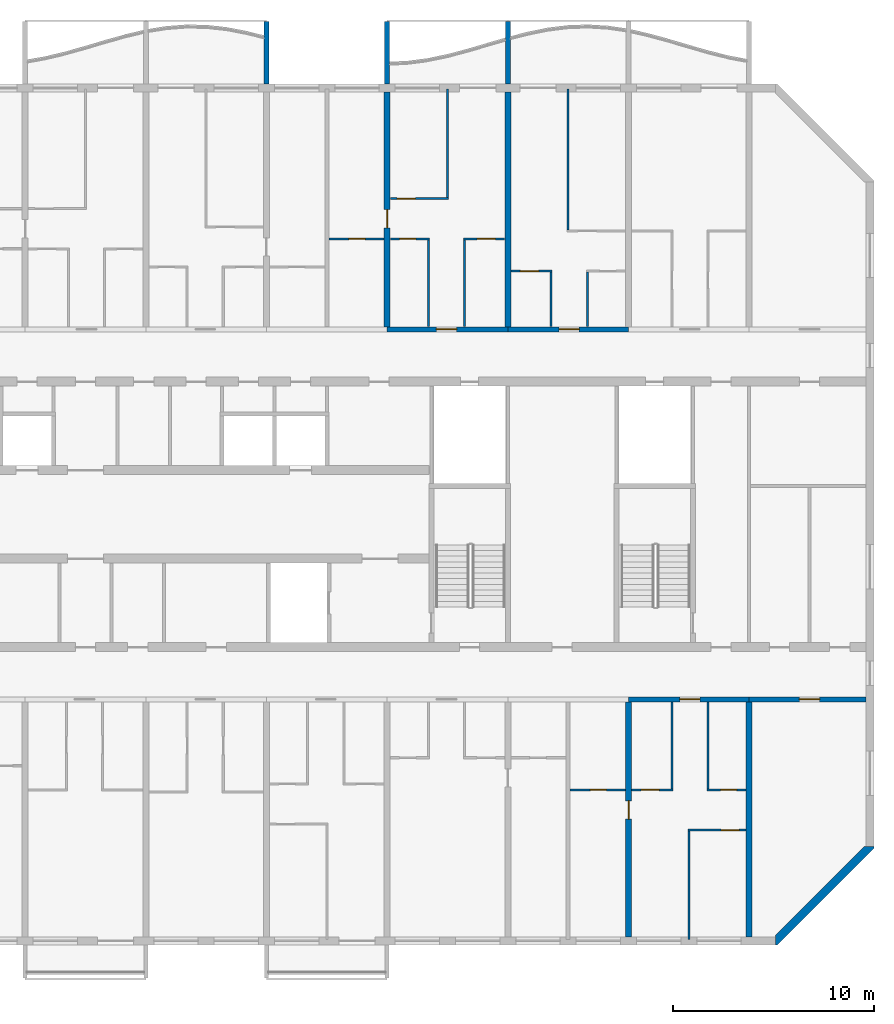
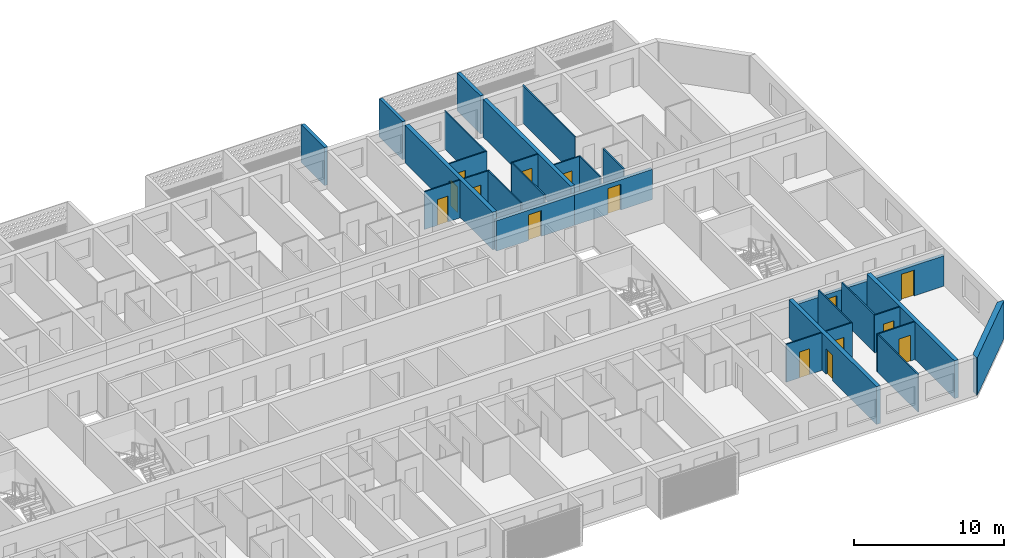
# One storey, part 11 of 31: 30 walls, 15 doors, 15 openings.
"""IFC4 building model written with IfcOpenShell, lengths in metres."""

from ifc_helpers import new_model, si_unit, direction, frame, frame_2d, origin, place, context, subcontext, project, spatial, polyline, rectangle, outline, extrude, source, transform, mapped, material, layer, layer_set, type_object, element, fill, save


model = new_model("IFC4")

# Units and contexts
model_context = context("Model", 3, precision=1e-05, world=origin(), true_north=direction((0.0, 1.0)))
body_context = subcontext(model_context, "Body", "Model", "MODEL_VIEW")
ifc_project = project(units=[si_unit("LENGTHUNIT", "METRE"), si_unit("AREAUNIT", "SQUARE_METRE"), si_unit("VOLUMEUNIT", "CUBIC_METRE"), si_unit("PLANEANGLEUNIT", "RADIAN"), si_unit("MASSUNIT", "GRAM", prefix="KILO")], contexts=[model_context])

# Site, building, storey
site_placement = place(None, origin())
site = spatial("IfcSite", under=ifc_project, at=site_placement, CompositionType="ELEMENT")
building_placement = place(site_placement, origin())
building = spatial("IfcBuilding", under=site, at=building_placement, Name="Poui Terraces", CompositionType="ELEMENT")
storey_placement = place(building_placement, frame((0.0, 0.0, 145.5)))
storey = spatial("IfcBuildingStorey", under=building, at=storey_placement, Name="L40", CompositionType="ELEMENT", Elevation=145.5)

# Wall, opening, door
ifc_material_1 = material(Name="Concrete 65 MPa", Category="concrete")
ifc_layer_1 = layer(ifc_material_1, 0.25)
ifc_layer_set_1 = layer_set([ifc_layer_1], Name="Concrete 65 MPa")
wall_type_1 = type_object("IfcWallType", Name="CORRIDOR WALL 250 65MPa", PredefinedType="SHEAR", material=ifc_layer_set_1)
wall_1_placement = place(storey_placement, frame((78.0, 12.0, 0.0), z_axis=(0.0, 0.0, 1.0), x_axis=(1.0, 0.0, 0.0)))
wall_1 = element("IfcWall", 1, at=wall_1_placement, inside=storey, type_object=wall_type_1, Name="CORRIDOR WALL LINE B BAY 12", PredefinedType="SHEAR", context=body_context, shape_type="SweptSolid", body=[
    extrude(rectangle(XDim=6.0, YDim=0.25, at=frame_2d((3.0, 0.0))), origin(), (0.0, 0.0, 1.0), 2.469970703125),
])
opening_1_placement = place(wall_1_placement, frame((2.550048828125, 0.0, 0.0)))
opening_1 = element("IfcOpeningElement", 2, at=opening_1_placement, cuts=wall_1, Name="Opening FD30S", PredefinedType="OPENING", context=body_context, shape_type="SweptSolid", body=[
    extrude(rectangle(XDim=1.0, YDim=2.10009765625, at=frame_2d((0.5, 1.050048828125))), frame((0.0, 0.135009765625, 0.0), z_axis=(0.0, -1.0, 0.0), x_axis=(1.0, 0.0, 0.0)), (0.0, 0.0, 1.0), 0.27001953125),
])
ifc_material_2 = material(Name="Steel fire door", Category="steel")
door_type_1 = type_object("IfcDoorType", Name="FLAT ENTRANCE DOOR 1000 X 2100", OperationType="NOTDEFINED", PredefinedType="DOOR", material=ifc_material_2)
door_1_placement = place(opening_1_placement, frame((1.0, 0.0, 0.0), z_axis=(0.0, 0.0, 1.0), x_axis=(-1.0, 0.0, 0.0)))
door_1 = element("IfcDoor", 3, at=door_1_placement, inside=storey, type_object=door_type_1, Name="FLAT ENTRANCE DOOR 116", OperationType="SINGLE_SWING_LEFT", OverallHeight=2.10009765625, OverallWidth=1.0, PredefinedType="DOOR", context=body_context, shape_type="SweptSolid", body=[
    extrude(rectangle(XDim=1.0, YDim=2.10009765625, at=frame_2d((0.5, 1.050048828125))), frame((0.0, 0.02490234375, 0.0), z_axis=(0.0, -1.0, 0.0), x_axis=(1.0, 0.0, 0.0)), (0.0, 0.0, 1.0), 0.050048828125),
])
fill(opening_1, door_1)

wall_2_placement = place(storey_placement, frame((84.0, 12.0, 0.0), z_axis=(0.0, 0.0, 1.0), x_axis=(1.0, 0.0, 0.0)))
wall_2 = element("IfcWall", 4, at=wall_2_placement, inside=storey, type_object=wall_type_1, Name="CORRIDOR WALL LINE B BAY 13", PredefinedType="SHEAR", context=body_context, shape_type="SweptSolid", body=[
    extrude(rectangle(XDim=5.800048828125, YDim=0.25, at=frame_2d((2.89990234375, 0.0))), origin(), (0.0, 0.0, 1.0), 2.469970703125),
])
opening_2_placement = place(wall_2_placement, frame((2.5, 0.0, 0.0)))
opening_2 = element("IfcOpeningElement", 5, at=opening_2_placement, cuts=wall_2, Name="Opening D100", PredefinedType="OPENING", context=body_context, shape_type="SweptSolid", body=[
    extrude(rectangle(XDim=1.0, YDim=2.10009765625, at=frame_2d((0.5, 1.050048828125))), frame((0.0, 0.135009765625, 0.0), z_axis=(0.0, -1.0, 0.0), x_axis=(1.0, 0.0, 0.0)), (0.0, 0.0, 1.0), 0.27001953125),
])
ifc_material_3 = material(Name="Solid core timber door", Category="wood")
door_type_2 = type_object("IfcDoorType", Name="ACCESSIBLE INTERNAL DOOR 1000 X 2100", OperationType="NOTDEFINED", PredefinedType="DOOR", material=ifc_material_3)
door_2_placement = place(opening_2_placement, frame((1.0, 0.0, 0.0), z_axis=(0.0, 0.0, 1.0), x_axis=(-1.0, 0.0, 0.0)))
door_2 = element("IfcDoor", 6, at=door_2_placement, inside=storey, type_object=door_type_2, Name="ACCESSIBLE INTERNAL DOOR 119", OperationType="SINGLE_SWING_RIGHT", OverallHeight=2.10009765625, OverallWidth=1.0, PredefinedType="DOOR", context=body_context, shape_type="SweptSolid", body=[
    extrude(rectangle(XDim=1.0, YDim=2.10009765625, at=frame_2d((0.5, 1.050048828125))), frame((0.0, 0.02490234375, 0.0), z_axis=(0.0, -1.0, 0.0), x_axis=(1.0, 0.0, 0.0)), (0.0, 0.0, 1.0), 0.050048828125),
])
fill(opening_2, door_2)

wall_3_placement = place(storey_placement, frame((66.0, 30.39990234375, 0.0), z_axis=(0.0, 0.0, 1.0), x_axis=(1.0, 0.0, 0.0)))
wall_3 = element("IfcWall", 7, at=wall_3_placement, inside=storey, type_object=wall_type_1, Name="CORRIDOR WALL LINE E BAY 10", PredefinedType="SHEAR", context=body_context, shape_type="SweptSolid", body=[
    extrude(rectangle(XDim=6.0, YDim=0.25, at=frame_2d((3.0, 0.0))), origin(), (0.0, 0.0, 1.0), 2.469970703125),
])
opening_3_placement = place(wall_3_placement, frame((2.449951171875, 0.0, 0.0)))
opening_3 = element("IfcOpeningElement", 8, at=opening_3_placement, cuts=wall_3, Name="Opening FD30S", PredefinedType="OPENING", context=body_context, shape_type="SweptSolid", body=[
    extrude(rectangle(XDim=1.0, YDim=2.10009765625, at=frame_2d((0.5, 1.050048828125))), frame((0.0, 0.135009765625, 0.0), z_axis=(0.0, -1.0, 0.0), x_axis=(1.0, 0.0, 0.0)), (0.0, 0.0, 1.0), 0.27001953125),
])
door_3_placement = place(opening_3_placement, origin())
door_3 = element("IfcDoor", 9, at=door_3_placement, inside=storey, type_object=door_type_1, Name="FLAT ENTRANCE DOOR 067", OperationType="SINGLE_SWING_LEFT", OverallHeight=2.10009765625, OverallWidth=1.0, PredefinedType="DOOR", context=body_context, shape_type="SweptSolid", body=[
    extrude(rectangle(XDim=1.0, YDim=2.10009765625, at=frame_2d((0.5, 1.050048828125))), frame((0.0, 0.02490234375, 0.0), z_axis=(0.0, -1.0, 0.0), x_axis=(1.0, 0.0, 0.0)), (0.0, 0.0, 1.0), 0.050048828125),
])
fill(opening_3, door_3)

wall_4_placement = place(storey_placement, frame((72.0, 30.39990234375, 0.0), z_axis=(0.0, 0.0, 1.0), x_axis=(1.0, 0.0, 0.0)))
wall_4 = element("IfcWall", 10, at=wall_4_placement, inside=storey, type_object=wall_type_1, Name="CORRIDOR WALL LINE E BAY 11", PredefinedType="SHEAR", context=body_context, shape_type="SweptSolid", body=[
    extrude(rectangle(XDim=6.0, YDim=0.25, at=frame_2d((3.0, 0.0))), origin(), (0.0, 0.0, 1.0), 2.469970703125),
])
opening_4_placement = place(wall_4_placement, frame((2.550048828125, 0.0, 0.0)))
opening_4 = element("IfcOpeningElement", 11, at=opening_4_placement, cuts=wall_4, Name="Opening FD30S", PredefinedType="OPENING", context=body_context, shape_type="SweptSolid", body=[
    extrude(rectangle(XDim=1.0, YDim=2.10009765625, at=frame_2d((0.5, 1.050048828125))), frame((0.0, 0.135009765625, 0.0), z_axis=(0.0, -1.0, 0.0), x_axis=(1.0, 0.0, 0.0)), (0.0, 0.0, 1.0), 0.27001953125),
])
door_4_placement = place(opening_4_placement, origin())
door_4 = element("IfcDoor", 12, at=door_4_placement, inside=storey, type_object=door_type_1, Name="FLAT ENTRANCE DOOR 070", OperationType="SINGLE_SWING_RIGHT", OverallHeight=2.10009765625, OverallWidth=1.0, PredefinedType="DOOR", context=body_context, shape_type="SweptSolid", body=[
    extrude(rectangle(XDim=1.0, YDim=2.10009765625, at=frame_2d((0.5, 1.050048828125))), frame((0.0, 0.02490234375, 0.0), z_axis=(0.0, -1.0, 0.0), x_axis=(1.0, 0.0, 0.0)), (0.0, 0.0, 1.0), 0.050048828125),
])
fill(opening_4, door_4)

ifc_layer_2 = layer(ifc_material_1, 0.300048828125)
ifc_layer_set_2 = layer_set([ifc_layer_2], Name="Concrete 65 MPa")
wall_type_2 = type_object("IfcWallType", Name="CROSS WALL 300 65MPa", PredefinedType="SHEAR", material=ifc_layer_set_2)
wall_5_placement = place(storey_placement, frame((66.0, 30.52490234375, 0.0), z_axis=(0.0, 0.0, 1.0), x_axis=(0.0, 1.0, 0.0)))
wall_5 = element("IfcWall", 13, at=wall_5_placement, inside=storey, type_object=wall_type_2, Name="CROSS WALL LINE 12 NORTH", PredefinedType="SHEAR", context=body_context, shape_type="SweptSolid", body=[
    extrude(rectangle(XDim=11.675048828125, YDim=0.300048828125, at=frame_2d((5.83740234375, 0.0))), origin(), (0.0, 0.0, 1.0), 3.070068359375),
])
opening_5_placement = place(wall_5_placement, frame((4.925048828125, 0.0, 0.0)))
opening_5 = element("IfcOpeningElement", 14, at=opening_5_placement, cuts=wall_5, Name="Opening D90", PredefinedType="OPENING", context=body_context, shape_type="SweptSolid", body=[
    extrude(rectangle(XDim=0.89990234375, YDim=2.10009765625, at=frame_2d((0.449951171875, 1.050048828125))), frame((0.0, 0.16015625, 0.0), z_axis=(0.0, -1.0, 0.0), x_axis=(1.0, 0.0, 0.0)), (0.0, 0.0, 1.0), 0.320068359375),
])
door_type_3 = type_object("IfcDoorType", Name="INTERNAL DOOR 900 X 2100", OperationType="NOTDEFINED", PredefinedType="DOOR", material=ifc_material_3)
door_5_placement = place(opening_5_placement, origin())
door_5 = element("IfcDoor", 15, at=door_5_placement, inside=storey, type_object=door_type_3, Name="INTERNAL DOOR 064", OperationType="SINGLE_SWING_LEFT", OverallHeight=2.10009765625, OverallWidth=0.89990234375, PredefinedType="DOOR", context=body_context, shape_type="SweptSolid", body=[
    extrude(rectangle(XDim=0.89990234375, YDim=2.10009765625, at=frame_2d((0.449951171875, 1.050048828125))), frame((0.0, 0.02490234375, 0.0), z_axis=(0.0, -1.0, 0.0), x_axis=(1.0, 0.0, 0.0)), (0.0, 0.0, 1.0), 0.050048828125),
])
fill(opening_5, door_5)

# Wall
wall_6_placement = place(storey_placement, frame((72.0, 30.52490234375, 0.0), z_axis=(0.0, 0.0, 1.0), x_axis=(0.0, 1.0, 0.0)))
element("IfcWall", 16, at=wall_6_placement, inside=storey, type_object=wall_type_2, Name="CROSS WALL LINE 13 NORTH", PredefinedType="SHEAR", context=body_context, shape_type="SweptSolid", body=[
    extrude(rectangle(XDim=11.675048828125, YDim=0.300048828125, at=frame_2d((5.83740234375, 0.0))), origin(), (0.0, 0.0, 1.0), 3.070068359375),
])

# Wall, opening, door
wall_7_placement = place(storey_placement, frame((78.0, 0.199951171875, 0.0), z_axis=(0.0, 0.0, 1.0), x_axis=(0.0, 1.0, 0.0)))
wall_7 = element("IfcWall", 17, at=wall_7_placement, inside=storey, type_object=wall_type_2, Name="CROSS WALL LINE 14 SOUTH", PredefinedType="SHEAR", context=body_context, shape_type="SweptSolid", body=[
    extrude(rectangle(XDim=11.675048828125, YDim=0.300048828125, at=frame_2d((5.83740234375, 0.0))), origin(), (0.0, 0.0, 1.0), 3.070068359375),
])
opening_6_placement = place(wall_7_placement, frame((5.85009765625, 0.0, 0.0)))
opening_6 = element("IfcOpeningElement", 18, at=opening_6_placement, cuts=wall_7, Name="Opening D90", PredefinedType="OPENING", context=body_context, shape_type="SweptSolid", body=[
    extrude(rectangle(XDim=0.89990234375, YDim=2.10009765625, at=frame_2d((0.449951171875, 1.050048828125))), frame((0.0, 0.16015625, 0.0), z_axis=(0.0, -1.0, 0.0), x_axis=(1.0, 0.0, 0.0)), (0.0, 0.0, 1.0), 0.320068359375),
])
door_6_placement = place(opening_6_placement, origin())
door_6 = element("IfcDoor", 19, at=door_6_placement, inside=storey, type_object=door_type_3, Name="INTERNAL DOOR 114", OperationType="SINGLE_SWING_RIGHT", OverallHeight=2.10009765625, OverallWidth=0.89990234375, PredefinedType="DOOR", context=body_context, shape_type="SweptSolid", body=[
    extrude(rectangle(XDim=0.89990234375, YDim=2.10009765625, at=frame_2d((0.449951171875, 1.050048828125))), frame((0.0, 0.02490234375, 0.0), z_axis=(0.0, -1.0, 0.0), x_axis=(1.0, 0.0, 0.0)), (0.0, 0.0, 1.0), 0.050048828125),
])
fill(opening_6, door_6)

# Wall
wall_8_placement = place(storey_placement, frame((84.0, 0.199951171875, 0.0), z_axis=(0.0, 0.0, 1.0), x_axis=(0.0, 1.0, 0.0)))
element("IfcWall", 20, at=wall_8_placement, inside=storey, type_object=wall_type_2, Name="CROSS WALL LINE 15 SOUTH", PredefinedType="SHEAR", context=body_context, shape_type="SweptSolid", body=[
    extrude(rectangle(XDim=11.675048828125, YDim=0.300048828125, at=frame_2d((5.83740234375, 0.0))), origin(), (0.0, 0.0, 1.0), 3.070068359375),
])

# Wall, opening, door
ifc_material_4 = material(Name="Plasterboard partition")
ifc_layer_3 = layer(ifc_material_4, 0.10009765625)
ifc_layer_set_3 = layer_set([ifc_layer_3], Name="Plasterboard partition")
wall_type_3 = type_object("IfcWallType", Name="FLAT PARTITION 100", PredefinedType="PARTITIONING", material=ifc_layer_set_3)
wall_9_placement = place(storey_placement, frame((80.949951171875, 5.5, 0.0), z_axis=(0.0, 0.0, 1.0), x_axis=(1.0, 0.0, 0.0)))
wall_9 = element("IfcWall", 21, at=wall_9_placement, inside=storey, type_object=wall_type_3, Name="FLAT PARTITION 100", PredefinedType="PARTITIONING", context=body_context, shape_type="SweptSolid", body=[
    extrude(rectangle(XDim=2.89013671875, YDim=0.10009765625, at=frame_2d((1.445068359375, 0.0))), origin(), (0.0, 0.0, 1.0), 3.070068359375),
])
opening_7_placement = place(wall_9_placement, frame((1.64990234375, 0.0, 0.0)))
opening_7 = element("IfcOpeningElement", 22, at=opening_7_placement, cuts=wall_9, Name="Opening D90", PredefinedType="OPENING", context=body_context, shape_type="SweptSolid", body=[
    extrude(rectangle(XDim=0.89990234375, YDim=2.10009765625, at=frame_2d((0.449951171875, 1.050048828125))), frame((0.0, 0.06005859375, 0.0), z_axis=(0.0, -1.0, 0.0), x_axis=(1.0, 0.0, 0.0)), (0.0, 0.0, 1.0), 0.1201171875),
])
door_7_placement = place(opening_7_placement, frame((0.89990234375, 0.0, 0.0), z_axis=(0.0, 0.0, 1.0), x_axis=(-1.0, 0.0, 0.0)))
door_7 = element("IfcDoor", 23, at=door_7_placement, inside=storey, type_object=door_type_3, Name="INTERNAL DOOR 118", OperationType="SINGLE_SWING_LEFT", OverallHeight=2.10009765625, OverallWidth=0.89990234375, PredefinedType="DOOR", context=body_context, shape_type="SweptSolid", body=[
    extrude(rectangle(XDim=0.89990234375, YDim=2.10009765625, at=frame_2d((0.449951171875, 1.050048828125))), frame((0.0, 0.02490234375, 0.0), z_axis=(0.0, -1.0, 0.0), x_axis=(1.0, 0.0, 0.0)), (0.0, 0.0, 1.0), 0.050048828125),
])
fill(opening_7, door_7)

wall_10_placement = place(storey_placement, frame((75.10009765625, 7.5, 0.0), z_axis=(0.0, 0.0, 1.0), x_axis=(1.0, 0.0, 0.0)))
wall_10 = element("IfcWall", 24, at=wall_10_placement, inside=storey, type_object=wall_type_3, Name="FLAT PARTITION 100", PredefinedType="PARTITIONING", context=body_context, shape_type="SweptSolid", body=[
    extrude(rectangle(XDim=2.739990234375, YDim=0.10009765625, at=frame_2d((1.3701171875, 0.0))), origin(), (0.0, 0.0, 1.0), 3.070068359375),
])
opening_8_placement = place(wall_10_placement, frame((1.0, 0.0, 0.0)))
opening_8 = element("IfcOpeningElement", 25, at=opening_8_placement, cuts=wall_10, Name="Opening D80", PredefinedType="OPENING", context=body_context, shape_type="SweptSolid", body=[
    extrude(rectangle(XDim=0.800048828125, YDim=2.10009765625, at=frame_2d((0.39990234375, 1.050048828125))), frame((0.0, 0.06005859375, 0.0), z_axis=(0.0, -1.0, 0.0), x_axis=(1.0, 0.0, 0.0)), (0.0, 0.0, 1.0), 0.1201171875),
])
door_type_4 = type_object("IfcDoorType", Name="BATHROOM, LAUNDRY AND STORE DOOR 800 X 2100", OperationType="NOTDEFINED", PredefinedType="DOOR", material=ifc_material_3)
door_8_placement = place(opening_8_placement, origin())
door_8 = element("IfcDoor", 26, at=door_8_placement, inside=storey, type_object=door_type_4, Name="BATHROOM, LAUNDRY AND STORE DOOR 113", OperationType="SINGLE_SWING_LEFT", OverallHeight=2.10009765625, OverallWidth=0.800048828125, PredefinedType="DOOR", context=body_context, shape_type="SweptSolid", body=[
    extrude(rectangle(XDim=0.800048828125, YDim=2.10009765625, at=frame_2d((0.39990234375, 1.050048828125))), frame((0.0, 0.02490234375, 0.0), z_axis=(0.0, -1.0, 0.0), x_axis=(1.0, 0.0, 0.0)), (0.0, 0.0, 1.0), 0.050048828125),
])
fill(opening_8, door_8)

wall_11_placement = place(storey_placement, frame((78.159912109375, 7.5, 0.0), z_axis=(0.0, 0.0, 1.0), x_axis=(1.0, 0.0, 0.0)))
wall_11 = element("IfcWall", 27, at=wall_11_placement, inside=storey, type_object=wall_type_3, Name="FLAT PARTITION 100", PredefinedType="PARTITIONING", context=body_context, shape_type="SweptSolid", body=[
    extrude(rectangle(XDim=2.0400390625, YDim=0.10009765625, at=frame_2d((1.02001953125, 0.0))), origin(), (0.0, 0.0, 1.0), 3.070068359375),
])
opening_9_placement = place(wall_11_placement, frame((0.465087890625, 0.0, 0.0)))
opening_9 = element("IfcOpeningElement", 28, at=opening_9_placement, cuts=wall_11, Name="Opening D90", PredefinedType="OPENING", context=body_context, shape_type="SweptSolid", body=[
    extrude(rectangle(XDim=0.89990234375, YDim=2.10009765625, at=frame_2d((0.449951171875, 1.050048828125))), frame((0.0, 0.06005859375, 0.0), z_axis=(0.0, -1.0, 0.0), x_axis=(1.0, 0.0, 0.0)), (0.0, 0.0, 1.0), 0.1201171875),
])
door_9_placement = place(opening_9_placement, origin())
door_9 = element("IfcDoor", 29, at=door_9_placement, inside=storey, type_object=door_type_3, Name="INTERNAL DOOR 115", OperationType="SINGLE_SWING_LEFT", OverallHeight=2.10009765625, OverallWidth=0.89990234375, PredefinedType="DOOR", context=body_context, shape_type="SweptSolid", body=[
    extrude(rectangle(XDim=0.89990234375, YDim=2.10009765625, at=frame_2d((0.449951171875, 1.050048828125))), frame((0.0, 0.02490234375, 0.0), z_axis=(0.0, -1.0, 0.0), x_axis=(1.0, 0.0, 0.0)), (0.0, 0.0, 1.0), 0.050048828125),
])
fill(opening_9, door_9)

wall_12_placement = place(storey_placement, frame((81.89990234375, 7.5, 0.0), z_axis=(0.0, 0.0, 1.0), x_axis=(1.0, 0.0, 0.0)))
wall_12 = element("IfcWall", 30, at=wall_12_placement, inside=storey, type_object=wall_type_3, Name="FLAT PARTITION 100", PredefinedType="PARTITIONING", context=body_context, shape_type="SweptSolid", body=[
    extrude(rectangle(XDim=1.940185546875, YDim=0.10009765625, at=frame_2d((0.97021484375, 0.0))), origin(), (0.0, 0.0, 1.0), 3.070068359375),
])
opening_10_placement = place(wall_12_placement, frame((0.675048828125, 0.0, 0.0)))
opening_10 = element("IfcOpeningElement", 31, at=opening_10_placement, cuts=wall_12, Name="Opening D80", PredefinedType="OPENING", context=body_context, shape_type="SweptSolid", body=[
    extrude(rectangle(XDim=0.800048828125, YDim=2.10009765625, at=frame_2d((0.39990234375, 1.050048828125))), frame((0.0, 0.06005859375, 0.0), z_axis=(0.0, -1.0, 0.0), x_axis=(1.0, 0.0, 0.0)), (0.0, 0.0, 1.0), 0.1201171875),
])
door_10_placement = place(opening_10_placement, origin())
door_10 = element("IfcDoor", 32, at=door_10_placement, inside=storey, type_object=door_type_4, Name="BATHROOM, LAUNDRY AND STORE DOOR 117", OperationType="SINGLE_SWING_RIGHT", OverallHeight=2.10009765625, OverallWidth=0.800048828125, PredefinedType="DOOR", context=body_context, shape_type="SweptSolid", body=[
    extrude(rectangle(XDim=0.800048828125, YDim=2.10009765625, at=frame_2d((0.39990234375, 1.050048828125))), frame((0.0, 0.02490234375, 0.0), z_axis=(0.0, -1.0, 0.0), x_axis=(1.0, 0.0, 0.0)), (0.0, 0.0, 1.0), 0.050048828125),
])
fill(opening_10, door_10)

wall_13_placement = place(storey_placement, frame((72.159912109375, 33.300048828125, 0.0), z_axis=(0.0, 0.0, 1.0), x_axis=(1.0, 0.0, 0.0)))
wall_13 = element("IfcWall", 33, at=wall_13_placement, inside=storey, type_object=wall_type_3, Name="FLAT PARTITION 100", PredefinedType="PARTITIONING", context=body_context, shape_type="SweptSolid", body=[
    extrude(rectangle(XDim=2.0400390625, YDim=0.10009765625, at=frame_2d((1.02001953125, 0.0))), origin(), (0.0, 0.0, 1.0), 3.070068359375),
])
opening_11_placement = place(wall_13_placement, frame((0.465087890625, 0.0, 0.0)))
opening_11 = element("IfcOpeningElement", 34, at=opening_11_placement, cuts=wall_13, Name="Opening D90", PredefinedType="OPENING", context=body_context, shape_type="SweptSolid", body=[
    extrude(rectangle(XDim=0.89990234375, YDim=2.10009765625, at=frame_2d((0.449951171875, 1.050048828125))), frame((0.0, 0.06005859375, 0.0), z_axis=(0.0, -1.0, 0.0), x_axis=(1.0, 0.0, 0.0)), (0.0, 0.0, 1.0), 0.1201171875),
])
door_11_placement = place(opening_11_placement, frame((0.89990234375, 0.0, 0.0), z_axis=(0.0, 0.0, 1.0), x_axis=(-1.0, 0.0, 0.0)))
door_11 = element("IfcDoor", 35, at=door_11_placement, inside=storey, type_object=door_type_3, Name="INTERNAL DOOR 069", OperationType="SINGLE_SWING_LEFT", OverallHeight=2.10009765625, OverallWidth=0.89990234375, PredefinedType="DOOR", context=body_context, shape_type="SweptSolid", body=[
    extrude(rectangle(XDim=0.89990234375, YDim=2.10009765625, at=frame_2d((0.449951171875, 1.050048828125))), frame((0.0, 0.02490234375, 0.0), z_axis=(0.0, -1.0, 0.0), x_axis=(1.0, 0.0, 0.0)), (0.0, 0.0, 1.0), 0.050048828125),
])
fill(opening_11, door_11)

wall_14_placement = place(storey_placement, frame((63.10009765625, 34.89990234375, 0.0), z_axis=(0.0, 0.0, 1.0), x_axis=(1.0, 0.0, 0.0)))
wall_14 = element("IfcWall", 36, at=wall_14_placement, inside=storey, type_object=wall_type_3, Name="FLAT PARTITION 100", PredefinedType="PARTITIONING", context=body_context, shape_type="SweptSolid", body=[
    extrude(rectangle(XDim=2.739990234375, YDim=0.10009765625, at=frame_2d((1.3701171875, 0.0))), origin(), (0.0, 0.0, 1.0), 3.070068359375),
])
opening_12_placement = place(wall_14_placement, frame((1.0, 0.0, 0.0)))
opening_12 = element("IfcOpeningElement", 37, at=opening_12_placement, cuts=wall_14, Name="Opening D80", PredefinedType="OPENING", context=body_context, shape_type="SweptSolid", body=[
    extrude(rectangle(XDim=0.800048828125, YDim=2.10009765625, at=frame_2d((0.39990234375, 1.050048828125))), frame((0.0, 0.06005859375, 0.0), z_axis=(0.0, -1.0, 0.0), x_axis=(1.0, 0.0, 0.0)), (0.0, 0.0, 1.0), 0.1201171875),
])
door_12_placement = place(opening_12_placement, frame((0.800048828125, 0.0, 0.0), z_axis=(0.0, 0.0, 1.0), x_axis=(-1.0, 0.0, 0.0)))
door_12 = element("IfcDoor", 38, at=door_12_placement, inside=storey, type_object=door_type_4, Name="BATHROOM, LAUNDRY AND STORE DOOR 063", OperationType="SINGLE_SWING_RIGHT", OverallHeight=2.10009765625, OverallWidth=0.800048828125, PredefinedType="DOOR", context=body_context, shape_type="SweptSolid", body=[
    extrude(rectangle(XDim=0.800048828125, YDim=2.10009765625, at=frame_2d((0.39990234375, 1.050048828125))), frame((0.0, 0.02490234375, 0.0), z_axis=(0.0, -1.0, 0.0), x_axis=(1.0, 0.0, 0.0)), (0.0, 0.0, 1.0), 0.050048828125),
])
fill(opening_12, door_12)

wall_15_placement = place(storey_placement, frame((66.159912109375, 34.89990234375, 0.0), z_axis=(0.0, 0.0, 1.0), x_axis=(1.0, 0.0, 0.0)))
wall_15 = element("IfcWall", 39, at=wall_15_placement, inside=storey, type_object=wall_type_3, Name="FLAT PARTITION 100", PredefinedType="PARTITIONING", context=body_context, shape_type="SweptSolid", body=[
    extrude(rectangle(XDim=1.940185546875, YDim=0.10009765625, at=frame_2d((0.97021484375, 0.0))), origin(), (0.0, 0.0, 1.0), 3.070068359375),
])
opening_13_placement = place(wall_15_placement, frame((0.465087890625, 0.0, 0.0)))
opening_13 = element("IfcOpeningElement", 40, at=opening_13_placement, cuts=wall_15, Name="Opening D80", PredefinedType="OPENING", context=body_context, shape_type="SweptSolid", body=[
    extrude(rectangle(XDim=0.800048828125, YDim=2.10009765625, at=frame_2d((0.39990234375, 1.050048828125))), frame((0.0, 0.06005859375, 0.0), z_axis=(0.0, -1.0, 0.0), x_axis=(1.0, 0.0, 0.0)), (0.0, 0.0, 1.0), 0.1201171875),
])
door_13_placement = place(opening_13_placement, frame((0.800048828125, 0.0, 0.0), z_axis=(0.0, 0.0, 1.0), x_axis=(-1.0, 0.0, 0.0)))
door_13 = element("IfcDoor", 41, at=door_13_placement, inside=storey, type_object=door_type_4, Name="BATHROOM, LAUNDRY AND STORE DOOR 066", OperationType="SINGLE_SWING_RIGHT", OverallHeight=2.10009765625, OverallWidth=0.800048828125, PredefinedType="DOOR", context=body_context, shape_type="SweptSolid", body=[
    extrude(rectangle(XDim=0.800048828125, YDim=2.10009765625, at=frame_2d((0.39990234375, 1.050048828125))), frame((0.0, 0.02490234375, 0.0), z_axis=(0.0, -1.0, 0.0), x_axis=(1.0, 0.0, 0.0)), (0.0, 0.0, 1.0), 0.050048828125),
])
fill(opening_13, door_13)

wall_16_placement = place(storey_placement, frame((69.800048828125, 34.89990234375, 0.0), z_axis=(0.0, 0.0, 1.0), x_axis=(1.0, 0.0, 0.0)))
wall_16 = element("IfcWall", 42, at=wall_16_placement, inside=storey, type_object=wall_type_3, Name="FLAT PARTITION 100", PredefinedType="PARTITIONING", context=body_context, shape_type="SweptSolid", body=[
    extrude(rectangle(XDim=2.0400390625, YDim=0.10009765625, at=frame_2d((1.02001953125, 0.0))), origin(), (0.0, 0.0, 1.0), 3.070068359375),
])
opening_14_placement = place(wall_16_placement, frame((0.675048828125, 0.0, 0.0)))
opening_14 = element("IfcOpeningElement", 43, at=opening_14_placement, cuts=wall_16, Name="Opening D90", PredefinedType="OPENING", context=body_context, shape_type="SweptSolid", body=[
    extrude(rectangle(XDim=0.89990234375, YDim=2.10009765625, at=frame_2d((0.449951171875, 1.050048828125))), frame((0.0, 0.06005859375, 0.0), z_axis=(0.0, -1.0, 0.0), x_axis=(1.0, 0.0, 0.0)), (0.0, 0.0, 1.0), 0.1201171875),
])
door_14_placement = place(opening_14_placement, frame((0.89990234375, 0.0, 0.0), z_axis=(0.0, 0.0, 1.0), x_axis=(-1.0, 0.0, 0.0)))
door_14 = element("IfcDoor", 44, at=door_14_placement, inside=storey, type_object=door_type_3, Name="INTERNAL DOOR 068", OperationType="SINGLE_SWING_LEFT", OverallHeight=2.10009765625, OverallWidth=0.89990234375, PredefinedType="DOOR", context=body_context, shape_type="SweptSolid", body=[
    extrude(rectangle(XDim=0.89990234375, YDim=2.10009765625, at=frame_2d((0.449951171875, 1.050048828125))), frame((0.0, 0.02490234375, 0.0), z_axis=(0.0, -1.0, 0.0), x_axis=(1.0, 0.0, 0.0)), (0.0, 0.0, 1.0), 0.050048828125),
])
fill(opening_14, door_14)

wall_17_placement = place(storey_placement, frame((66.159912109375, 36.89990234375, 0.0), z_axis=(0.0, 0.0, 1.0), x_axis=(1.0, 0.0, 0.0)))
wall_17 = element("IfcWall", 45, at=wall_17_placement, inside=storey, type_object=wall_type_3, Name="FLAT PARTITION 100", PredefinedType="PARTITIONING", context=body_context, shape_type="SweptSolid", body=[
    extrude(rectangle(XDim=2.89013671875, YDim=0.10009765625, at=frame_2d((1.445068359375, 0.0))), origin(), (0.0, 0.0, 1.0), 3.070068359375),
])
opening_15_placement = place(wall_17_placement, frame((0.340087890625, 0.0, 0.0)))
opening_15 = element("IfcOpeningElement", 46, at=opening_15_placement, cuts=wall_17, Name="Opening D90", PredefinedType="OPENING", context=body_context, shape_type="SweptSolid", body=[
    extrude(rectangle(XDim=0.89990234375, YDim=2.10009765625, at=frame_2d((0.449951171875, 1.050048828125))), frame((0.0, 0.06005859375, 0.0), z_axis=(0.0, -1.0, 0.0), x_axis=(1.0, 0.0, 0.0)), (0.0, 0.0, 1.0), 0.1201171875),
])
door_15_placement = place(opening_15_placement, origin())
door_15 = element("IfcDoor", 47, at=door_15_placement, inside=storey, type_object=door_type_3, Name="INTERNAL DOOR 065", OperationType="SINGLE_SWING_LEFT", OverallHeight=2.10009765625, OverallWidth=0.89990234375, PredefinedType="DOOR", context=body_context, shape_type="SweptSolid", body=[
    extrude(rectangle(XDim=0.89990234375, YDim=2.10009765625, at=frame_2d((0.449951171875, 1.050048828125))), frame((0.0, 0.02490234375, 0.0), z_axis=(0.0, -1.0, 0.0), x_axis=(1.0, 0.0, 0.0)), (0.0, 0.0, 1.0), 0.050048828125),
])
fill(opening_15, door_15)

# Walls
wall_18_placement = place(storey_placement, frame((68.050048828125, 30.534912109375, 0.0), z_axis=(0.0, 0.0, 1.0), x_axis=(0.0, 1.0, 0.0)))
element("IfcWall", 48, at=wall_18_placement, inside=storey, type_object=wall_type_3, Name="FLAT PARTITION 100", PredefinedType="PARTITIONING", context=body_context, shape_type="SweptSolid", body=[
    extrude(rectangle(XDim=4.315185546875, YDim=0.10009765625, at=frame_2d((2.15771484375, 0.0))), origin(), (0.0, 0.0, 1.0), 3.070068359375),
])
wall_19_placement = place(storey_placement, frame((69.0, 36.949951171875, 0.0), z_axis=(0.0, 0.0, 1.0), x_axis=(0.0, 1.0, 0.0)))
element("IfcWall", 49, at=wall_19_placement, inside=storey, type_object=wall_type_3, Name="FLAT PARTITION 100", PredefinedType="PARTITIONING", context=body_context, shape_type="SweptSolid", body=[
    extrude(rectangle(XDim=5.39013671875, YDim=0.10009765625, at=frame_2d((2.695068359375, 0.0))), origin(), (0.0, 0.0, 1.0), 3.070068359375),
])
wall_20_placement = place(storey_placement, frame((69.85009765625, 30.534912109375, 0.0), z_axis=(0.0, 0.0, 1.0), x_axis=(0.0, 1.0, 0.0)))
element("IfcWall", 50, at=wall_20_placement, inside=storey, type_object=wall_type_3, Name="FLAT PARTITION 100", PredefinedType="PARTITIONING", context=body_context, shape_type="SweptSolid", body=[
    extrude(rectangle(XDim=4.315185546875, YDim=0.10009765625, at=frame_2d((2.15771484375, 0.0))), origin(), (0.0, 0.0, 1.0), 3.070068359375),
])
wall_21_placement = place(storey_placement, frame((74.14990234375, 30.534912109375, 0.0), z_axis=(0.0, 0.0, 1.0), x_axis=(0.0, 1.0, 0.0)))
element("IfcWall", 51, at=wall_21_placement, inside=storey, type_object=wall_type_3, Name="FLAT PARTITION 100", PredefinedType="PARTITIONING", context=body_context, shape_type="SweptSolid", body=[
    extrude(rectangle(XDim=2.715087890625, YDim=0.10009765625, at=frame_2d((1.357421875, 0.0))), origin(), (0.0, 0.0, 1.0), 3.070068359375),
])
wall_22_placement = place(storey_placement, frame((75.0, 35.35009765625, 0.0), z_axis=(0.0, 0.0, 1.0), x_axis=(0.0, 1.0, 0.0)))
element("IfcWall", 52, at=wall_22_placement, inside=storey, type_object=wall_type_3, Name="FLAT PARTITION 100", PredefinedType="PARTITIONING", context=body_context, shape_type="SweptSolid", body=[
    extrude(rectangle(XDim=6.989990234375, YDim=0.10009765625, at=frame_2d((3.4951171875, 0.0))), origin(), (0.0, 0.0, 1.0), 3.070068359375),
])
wall_23_placement = place(storey_placement, frame((75.949951171875, 30.534912109375, 0.0), z_axis=(0.0, 0.0, 1.0), x_axis=(0.0, 1.0, 0.0)))
element("IfcWall", 53, at=wall_23_placement, inside=storey, type_object=wall_type_3, Name="FLAT PARTITION 100", PredefinedType="PARTITIONING", context=body_context, shape_type="SweptSolid", body=[
    extrude(rectangle(XDim=2.715087890625, YDim=0.10009765625, at=frame_2d((1.357421875, 0.0))), origin(), (0.0, 0.0, 1.0), 3.070068359375),
])
wall_24_placement = place(storey_placement, frame((80.14990234375, 7.550048828125, 0.0), z_axis=(0.0, 0.0, 1.0), x_axis=(0.0, 1.0, 0.0)))
element("IfcWall", 54, at=wall_24_placement, inside=storey, type_object=wall_type_3, Name="FLAT PARTITION 100", PredefinedType="PARTITIONING", context=body_context, shape_type="SweptSolid", body=[
    extrude(rectangle(XDim=4.31494140625, YDim=0.10009765625, at=frame_2d((2.157470703125, 0.0))), origin(), (0.0, 0.0, 1.0), 3.070068359375),
])
wall_25_placement = place(storey_placement, frame((81.0, 0.06005859375, 0.0), z_axis=(0.0, 0.0, 1.0), x_axis=(0.0, 1.0, 0.0)))
element("IfcWall", 55, at=wall_25_placement, inside=storey, type_object=wall_type_3, Name="FLAT PARTITION 100", PredefinedType="PARTITIONING", context=body_context, shape_type="SweptSolid", body=[
    extrude(rectangle(XDim=5.389892578125, YDim=0.10009765625, at=frame_2d((2.69482421875, 0.0))), origin(), (0.0, 0.0, 1.0), 3.070068359375),
])
wall_26_placement = place(storey_placement, frame((81.949951171875, 7.550048828125, 0.0), z_axis=(0.0, 0.0, 1.0), x_axis=(0.0, 1.0, 0.0)))
element("IfcWall", 56, at=wall_26_placement, inside=storey, type_object=wall_type_3, Name="FLAT PARTITION 100", PredefinedType="PARTITIONING", context=body_context, shape_type="SweptSolid", body=[
    extrude(rectangle(XDim=4.31494140625, YDim=0.10009765625, at=frame_2d((2.157470703125, 0.0))), origin(), (0.0, 0.0, 1.0), 3.070068359375),
])
ifc_material_5 = material(Name="Precast concrete 40 MPa", Category="concrete")
ifc_layer_4 = layer(ifc_material_5, 0.39990234375)
ifc_layer_set_4 = layer_set([ifc_layer_4], Name="Precast concrete 40 MPa")
wall_type_4 = type_object("IfcWallType", Name="TERRACOTTA CLAD CHAMFER WALL 400", PredefinedType="STANDARD", material=ifc_layer_set_4)
wall_27_placement = place(storey_placement, origin())
element("IfcWall", 57, at=wall_27_placement, inside=storey, type_object=wall_type_4, Name="CHAMFER WALL CH01", PredefinedType="STANDARD", context=body_context, shape_type="SweptSolid", body=[
    extrude(outline(polyline([(85.317138671875, -0.199951171875), (85.39990234375, -0.199951171875), (90.199951171875, 4.60009765625), (90.199951171875, 4.682861328125), (89.71728515625, 4.682861328125), (85.317138671875, 0.28271484375), (85.317138671875, -0.199951171875)])), origin(), (0.0, 0.0, 1.0), 3.070068359375),
])
ifc_layer_5 = layer(ifc_material_5, 0.25)
ifc_layer_set_5 = layer_set([ifc_layer_5], Name="Precast concrete 40 MPa")
wall_type_5 = type_object("IfcWallType", Name="BALCONY FIN 250", PredefinedType="STANDARD", material=ifc_layer_set_5)
shared_shape = source(origin(), body_context, "Body", "SweptSolid", [
    extrude(outline(polyline([(0.0, 0.0), (0.25, 0.0), (0.25, 3.099853515625), (0.0, 3.099853515625), (0.0, 0.0)])), origin(), (0.0, 0.0, 1.0), 3.10009765625),
])
for number, where, name in (
    (58, (59.875, 42.60009765625, 0.0), "BALCONY FIN"),
    (59, (65.875, 42.60009765625, 0.0), "BALCONY FIN"),
    (60, (71.875, 42.60009765625, 0.0), "BALCONY FIN"),
):
    element("IfcWall", number, at=place(storey_placement, frame(where)), inside=storey, type_object=wall_type_5, Name=name, PredefinedType="STANDARD", context=body_context, shape_type="MappedRepresentation", body=[
        mapped(shared_shape, transform((0.0, 0.0, 0.0))),
    ])

save(model, "model.ifc")
